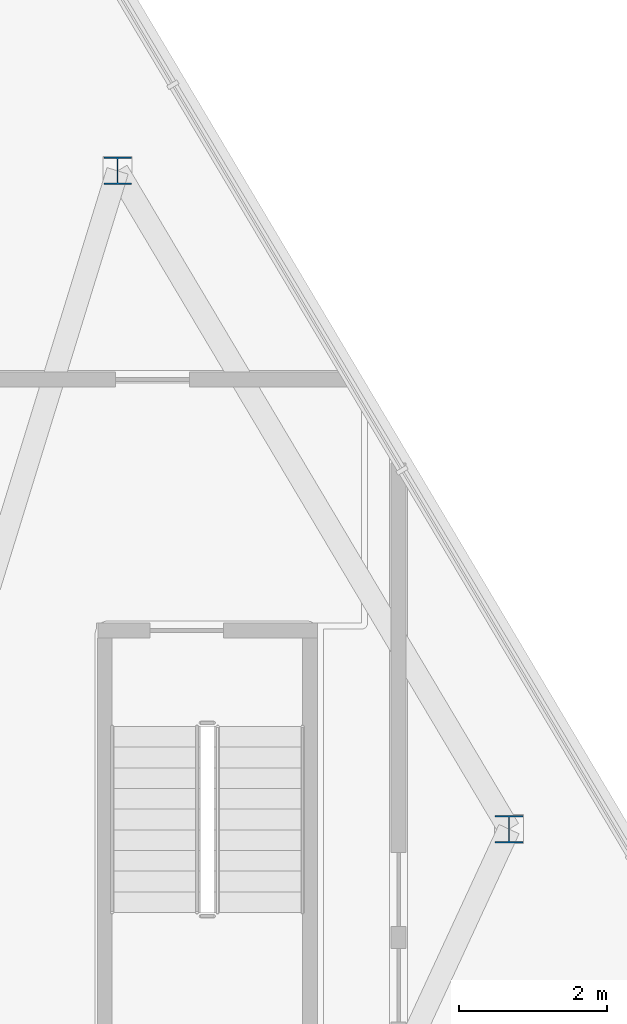
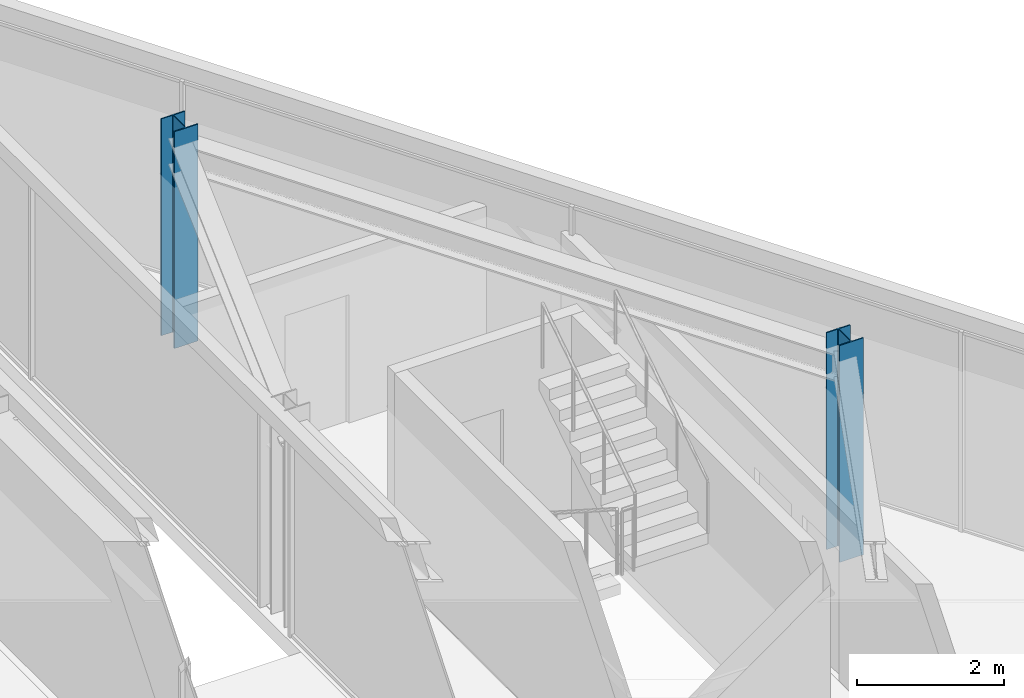
# One storey, part 2 of 15: 2 columns.
"""IFC4 building model written with IfcOpenShell, lengths in metres."""

from ifc_helpers import new_model, si_unit, direction, frame, origin, origin_2d, place, context, subcontext, project, spatial, i_section, extrude, material, material_profile, profile_set, type_object, element, save


model = new_model("IFC4")

# Units and contexts
model_context = context("Model", 3, precision=1e-05, world=origin(), true_north=direction((0.0, 1.0)))
body_context = subcontext(model_context, "Body", "Model", "MODEL_VIEW")
ifc_project = project(units=[si_unit("LENGTHUNIT", "METRE"), si_unit("AREAUNIT", "SQUARE_METRE"), si_unit("VOLUMEUNIT", "CUBIC_METRE"), si_unit("PLANEANGLEUNIT", "RADIAN"), si_unit("MASSUNIT", "GRAM", prefix="KILO")], contexts=[model_context])

# Site, building, storey
site_placement = place(None, origin())
site = spatial("IfcSite", under=ifc_project, at=site_placement, CompositionType="ELEMENT")
building_placement = place(site_placement, origin())
building = spatial("IfcBuilding", under=site, at=building_placement, Name="Savorim Split Tower", CompositionType="ELEMENT")
storey_placement = place(building_placement, frame((0.0, 0.0, 301.199951171875)))
storey = spatial("IfcBuildingStorey", under=building, at=storey_placement, Name="Crown L80 Plant", CompositionType="ELEMENT", Elevation=301.199951171875)

# Columns
ifc_material = material(Name="Steel S355", Category="steel")
ifc_material_profile = material_profile(ifc_material, i_section(OverallWidth=0.3740234375, OverallDepth=0.3720703125, WebThickness=0.01220703125, FlangeThickness=0.02001953125, FilletRadius=0.014892578125, at=origin_2d()), Name="HD 360x196")
ifc_profile_set = profile_set([ifc_material_profile], Name="Steel S355")
column_type = type_object("IfcColumnType", Name="COL-HD-196", PredefinedType="COLUMN", material=ifc_profile_set)
for number, where, z_axis, x_axis, name in (
    (1, (18.44580078125, -4.239990234375, 0.0), (0.0, 0.0, 1.0), (1.0, 0.0, 0.0), "Crown L80 Plant East Crown Column EC-2"),
    (2, (13.144287109375, 4.675537109375, 0.0), (0.0, 0.0, 1.0), (1.0, 0.0, 0.0), "Crown L80 Plant East Crown Column EC-3"),
):
    element("IfcColumn", number, at=place(storey_placement, frame(where, z_axis=z_axis, x_axis=x_axis)), inside=storey, type_object=column_type, Name=name, PredefinedType="COLUMN", context=body_context, shape_type="SweptSolid", body=[
        extrude(i_section(OverallWidth=0.3740234375, OverallDepth=0.3720703125, WebThickness=0.01220703125, FlangeThickness=0.02001953125, FilletRadius=0.014892578125, at=origin_2d()), origin(), (0.0, 0.0, 1.0), 3.60009765625),
    ])

save(model, "model.ifc")
